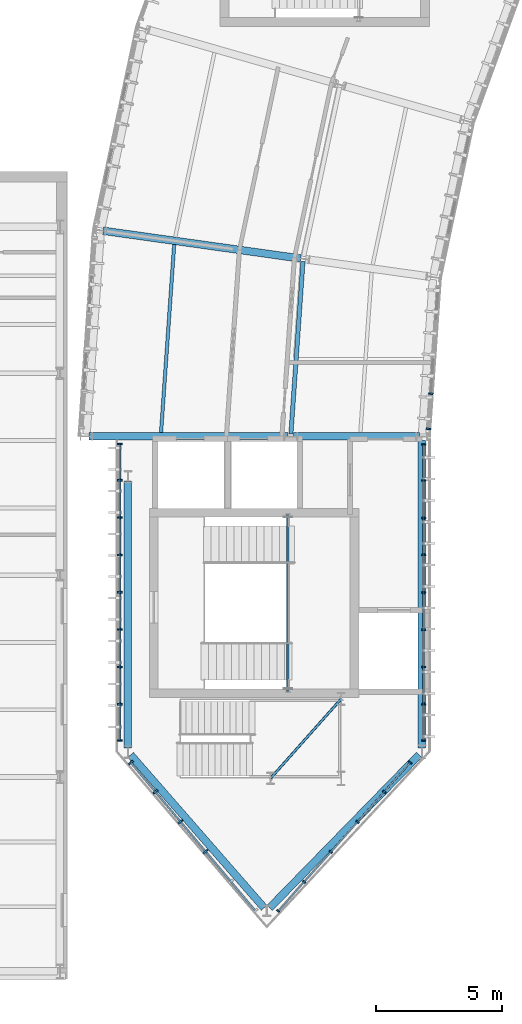
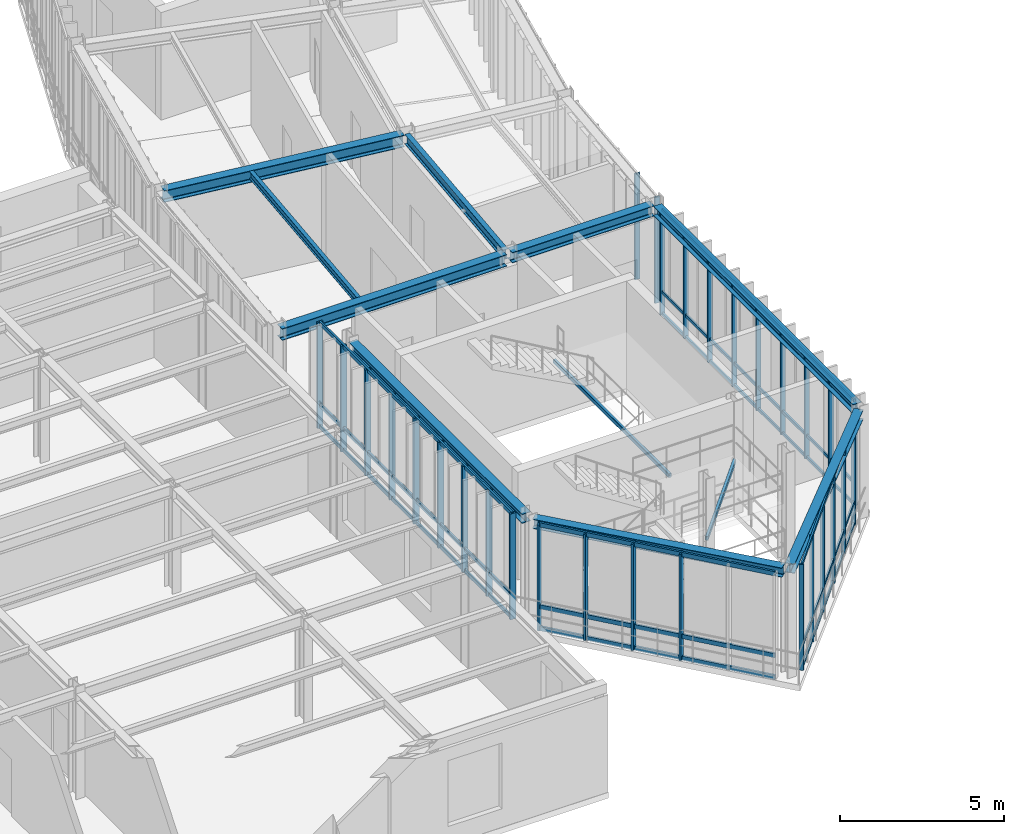
# One storey, part 10 of 57: 44 members, 9 beams, 5 elements without a shape of their own.
"""IFC4 building model written with IfcOpenShell, lengths in metres."""

from ifc_helpers import new_model, si_unit, direction, frame, origin, origin_2d, place, context, subcontext, project, spatial, rectangle, hollow_rectangle, i_section, extrude, material, layer, layer_set, material_profile, profile_set, type_object, element, aggregate, save


model = new_model("IFC4")

# Units and contexts
model_context = context("Model", 3, precision=1e-05, world=origin(), true_north=direction((0.0, 1.0)))
body_context = subcontext(model_context, "Body", "Model", "MODEL_VIEW")
ifc_project = project(units=[si_unit("LENGTHUNIT", "METRE"), si_unit("AREAUNIT", "SQUARE_METRE"), si_unit("VOLUMEUNIT", "CUBIC_METRE"), si_unit("PLANEANGLEUNIT", "RADIAN"), si_unit("MASSUNIT", "GRAM", prefix="KILO"), si_unit("THERMODYNAMICTEMPERATUREUNIT", "KELVIN"), si_unit("POWERUNIT", "WATT")], contexts=[model_context])

# Site, building, storey
site_placement = place(None, origin())
site = spatial("IfcSite", under=ifc_project, at=site_placement, CompositionType="ELEMENT")
building_placement = place(site_placement, origin())
building = spatial("IfcBuilding", under=site, at=building_placement, Name="Solvatero Civic Police Headquarters", CompositionType="ELEMENT")
storey_placement = place(building_placement, frame((0.0, 0.0, 9.300048828125)))
storey = spatial("IfcBuildingStorey", under=building, at=storey_placement, Name="L02", CompositionType="ELEMENT", Elevation=9.300048828125)

# Beams
ifc_material_1 = material(Name="Steel S355", Category="steel")
ifc_material_profile_1 = material_profile(ifc_material_1, i_section(OverallWidth=0.300048828125, OverallDepth=0.35009765625, WebThickness=0.010009765625, FlangeThickness=0.017578125, FilletRadius=0.027099609375, at=origin_2d()), Name="HEA 360")
ifc_profile_set_1 = profile_set([ifc_material_profile_1], Name="Steel S355")
beam_type_1 = type_object("IfcBeamType", Name="BM-ST-HEA360", PredefinedType="SPANDREL", material=ifc_profile_set_1)
beam_1_placement = place(storey_placement, frame((37.0, 24.239990234375, 3.824951171875), z_axis=(0.0, -1.0, 0.0), x_axis=(1.0, 0.0, 0.0)))
element("IfcBeam", 1, at=beam_1_placement, inside=storey, type_object=beam_type_1, Name="Perimeter / radial spandrel beam BM-R2-L02-PROW-W", PredefinedType="SPANDREL", context=body_context, shape_type="SweptSolid", body=[
    extrude(i_section(OverallWidth=0.300048828125, OverallDepth=0.35009765625, WebThickness=0.010009765625, FlangeThickness=0.017578125, FilletRadius=0.027099609375, at=origin_2d()), origin(), (0.0, 0.0, 1.0), 10.580078125),
])
beam_2_placement = place(storey_placement, frame((37.105224609375, 13.37939453125, 3.824951171875), z_axis=(0.657663937616, -0.753311452959, 0.0), x_axis=(0.753311452959, 0.657663937616, 0.0)))
element("IfcBeam", 2, at=beam_2_placement, inside=storey, type_object=beam_type_1, Name="Perimeter / radial spandrel beam BM-R2-L02-PROW-SW", PredefinedType="SPANDREL", context=body_context, shape_type="SweptSolid", body=[
    extrude(i_section(OverallWidth=0.300048828125, OverallDepth=0.35009765625, WebThickness=0.010009765625, FlangeThickness=0.017578125, FilletRadius=0.027099609375, at=origin_2d()), origin(), (0.0, 0.0, 1.0), 8.04296875),
])
beam_3_placement = place(storey_placement, frame((42.61181640625, 7.314453125, 3.824951171875), z_axis=(0.698523042205, 0.715587562433, 0.0), x_axis=(-0.715587562433, 0.698523042205, 0.0)))
element("IfcBeam", 3, at=beam_3_placement, inside=storey, type_object=beam_type_1, Name="Perimeter / radial spandrel beam BM-R2-L02-PROW-SE", PredefinedType="SPANDREL", context=body_context, shape_type="SweptSolid", body=[
    extrude(i_section(OverallWidth=0.300048828125, OverallDepth=0.35009765625, WebThickness=0.010009765625, FlangeThickness=0.017578125, FilletRadius=0.027099609375, at=origin_2d()), origin(), (0.0, 0.0, 1.0), 8.48388671875),
])
beam_4_placement = place(storey_placement, frame((48.64990234375, 13.659912109375, 3.824951171875), z_axis=(0.0, 1.0, 0.0), x_axis=(-1.0, 0.0, 0.0)))
element("IfcBeam", 4, at=beam_4_placement, inside=storey, type_object=beam_type_1, Name="Perimeter / radial spandrel beam BM-R2-L02-PROW-E", PredefinedType="SPANDREL", context=body_context, shape_type="SweptSolid", body=[
    extrude(i_section(OverallWidth=0.300048828125, OverallDepth=0.35009765625, WebThickness=0.010009765625, FlangeThickness=0.017578125, FilletRadius=0.027099609375, at=origin_2d()), origin(), (0.0, 0.0, 1.0), 12.18017578125),
])
ifc_material_profile_2 = material_profile(ifc_material_1, i_section(OverallWidth=0.300048828125, OverallDepth=0.389892578125, WebThickness=0.010986328125, FlangeThickness=0.01904296875, FilletRadius=0.027099609375, at=origin_2d()), Name="HEA 400")
ifc_profile_set_2 = profile_set([ifc_material_profile_2], Name="Steel S355")
beam_type_2 = type_object("IfcBeamType", Name="BM-ST-HEA400", PredefinedType="BEAM", material=ifc_profile_set_2)
beam_5_placement = place(storey_placement, frame((48.550048828125, 26.0, 3.804931640625), z_axis=(-1.0, 0.0, 0.0), x_axis=(0.0, -1.0, 0.0)))
element("IfcBeam", 5, at=beam_5_placement, inside=storey, type_object=beam_type_2, Name="Primary girder BM-R2-L02-ARC-RAD1-S12", PredefinedType="BEAM", context=body_context, shape_type="SweptSolid", body=[
    extrude(i_section(OverallWidth=0.300048828125, OverallDepth=0.389892578125, WebThickness=0.010986328125, FlangeThickness=0.01904296875, FilletRadius=0.027099609375, at=origin_2d()), origin(), (0.0, 0.0, 1.0), 5.0),
])
ifc_material_profile_3 = material_profile(ifc_material_1, i_section(OverallWidth=0.300048828125, OverallDepth=0.43994140625, WebThickness=0.011474609375, FlangeThickness=0.02099609375, FilletRadius=0.027099609375, at=origin_2d()), Name="HEA 450")
ifc_profile_set_3 = profile_set([ifc_material_profile_3], Name="Steel S355")
beam_type_3 = type_object("IfcBeamType", Name="BM-ST-HEA450", PredefinedType="BEAM", material=ifc_profile_set_3)
for number, where, z_axis, x_axis, name in (
    (6, (43.843017578125, 33.049072265625, 3.780029296875), (-0.990265898664, 0.139188540993, 0.0), (-0.139188540993, -0.990265898664, 0.0), "Primary girder BM-R2-L02-ARC-RAD2-S11"),
    (7, (43.35009765625, 26.0, 3.780029296875), (-1.0, 0.0, 0.0), (0.0, -1.0, 0.0), "Primary girder BM-R2-L02-ARC-RAD2-S12"),
):
    element("IfcBeam", number, at=place(storey_placement, frame(where, z_axis=z_axis, x_axis=x_axis)), inside=storey, type_object=beam_type_3, Name=name, PredefinedType="BEAM", context=body_context, shape_type="SweptSolid", body=[
        extrude(i_section(OverallWidth=0.300048828125, OverallDepth=0.43994140625, WebThickness=0.011474609375, FlangeThickness=0.02099609375, FilletRadius=0.027099609375, at=origin_2d()), origin(), (0.0, 0.0, 1.0), 7.900146484375),
    ])
ifc_material_profile_4 = material_profile(ifc_material_1, i_section(OverallWidth=0.135009765625, OverallDepth=0.27001953125, WebThickness=0.006591796875, FlangeThickness=0.01025390625, FilletRadius=0.014892578125, at=origin_2d()), Name="IPE 270")
ifc_profile_set_4 = profile_set([ifc_material_profile_4], Name="Steel S355")
beam_type_4 = type_object("IfcBeamType", Name="BM-ST-IPE270", PredefinedType="BEAM", material=ifc_profile_set_4)
beam_6_placement = place(storey_placement, frame((38.83154296875, 33.602294921875, 3.864990234375), z_axis=(-0.069737421409, -0.997565382346, 0.0), x_axis=(0.997565382346, -0.069737421409, 0.0)))
element("IfcBeam", 8, at=beam_6_placement, inside=storey, type_object=beam_type_4, Name="Composite floor beam BM-R2-L02-ARC-CS2-B12", PredefinedType="BEAM", context=body_context, shape_type="SweptSolid", body=[
    extrude(i_section(OverallWidth=0.135009765625, OverallDepth=0.27001953125, WebThickness=0.006591796875, FlangeThickness=0.01025390625, FilletRadius=0.014892578125, at=origin_2d()), origin(), (0.0, 0.0, 1.0), 7.470947265625),
])
ifc_material_profile_5 = material_profile(ifc_material_1, i_section(OverallWidth=0.169921875, OverallDepth=0.360107421875, WebThickness=0.008056640625, FlangeThickness=0.0126953125, FilletRadius=0.01806640625, at=origin_2d()), Name="IPE 360")
ifc_profile_set_5 = profile_set([ifc_material_profile_5], Name="Steel S355")
beam_type_5 = type_object("IfcBeamType", Name="BM-ST-IPE360", PredefinedType="BEAM", material=ifc_profile_set_5)
beam_7_placement = place(storey_placement, frame((43.934814453125, 32.935302734375, 3.820068359375), z_axis=(-0.069727722696, -0.997566060313, 0.0), x_axis=(0.997566060313, -0.069727722696, 0.0)))
element("IfcBeam", 9, at=beam_7_placement, inside=storey, type_object=beam_type_5, Name="Composite floor beam BM-R2-L02-ARC-CMID-B12", PredefinedType="BEAM", context=body_context, shape_type="SweptSolid", body=[
    extrude(i_section(OverallWidth=0.169921875, OverallDepth=0.360107421875, WebThickness=0.008056640625, FlangeThickness=0.0126953125, FilletRadius=0.01806640625, at=origin_2d()), origin(), (0.0, 0.0, 1.0), 6.85205078125),
])

# Curtain wall, members
ifc_material_2 = material(Name="Anodized Bronze Aluminium", Category="aluminium")
ifc_layer_1 = layer(ifc_material_2, 0.179931640625)
ifc_layer_set_1 = layer_set([ifc_layer_1], Name="Anodized Bronze Aluminium")
curtain_wall_type_1 = type_object("IfcCurtainWallType", Name="CW-PROW-GLZ", PredefinedType="USERDEFINED", material=ifc_layer_set_1)
curtain_wall_1_placement = place(storey_placement, origin())
curtain_wall_1 = element("IfcCurtainWall", 10, at=curtain_wall_1_placement, inside=storey, type_object=curtain_wall_type_1, Name="Curtain Wall CW-R2-L02-PROW-SE", ObjectType="UNITISED", PredefinedType="USERDEFINED")
ifc_material_profile_6 = material_profile(ifc_material_2, rectangle(XDim=0.06005859375, YDim=0.139892578125, at=origin_2d()), Name="ALU MULLION 60x140")
ifc_profile_set_6 = profile_set([ifc_material_profile_6], Name="Anodized Bronze Aluminium")
member_type_1 = type_object("IfcMemberType", Name="CWM-160x65", PredefinedType="MULLION", material=ifc_profile_set_6)
member_1_placement = place(storey_placement, frame((42.95166015625, 7.1943359375, 0.0), z_axis=(0.0, 0.0, 1.0), x_axis=(0.664669821698, 0.74713722175, 0.0)))
member_1 = element("IfcMember", 11, at=member_1_placement, type_object=member_type_1, Name="CW-R2-L02-PROW-SE Mullion 1", PredefinedType="MULLION", context=body_context, shape_type="SweptSolid", body=[
    extrude(rectangle(XDim=0.06005859375, YDim=0.139892578125, at=origin_2d()), origin(), (0.0, 0.0, 1.0), 3.93994140625),
])
member_2_placement = place(storey_placement, frame((43.982177734375, 8.3525390625, 0.0), z_axis=(0.0, 0.0, 1.0), x_axis=(0.664669821698, 0.74713722175, 0.0)))
member_2 = element("IfcMember", 12, at=member_2_placement, type_object=member_type_1, Name="CW-R2-L02-PROW-SE Mullion 2", PredefinedType="MULLION", context=body_context, shape_type="SweptSolid", body=[
    extrude(rectangle(XDim=0.06005859375, YDim=0.139892578125, at=origin_2d()), origin(), (0.0, 0.0, 1.0), 3.93994140625),
])
member_3_placement = place(storey_placement, frame((45.0390625, 9.540771484375, 0.0), z_axis=(0.0, 0.0, 1.0), x_axis=(0.664669821698, 0.74713722175, 0.0)))
member_3 = element("IfcMember", 13, at=member_3_placement, type_object=member_type_1, Name="CW-R2-L02-PROW-SE Mullion 3", PredefinedType="MULLION", context=body_context, shape_type="SweptSolid", body=[
    extrude(rectangle(XDim=0.06005859375, YDim=0.139892578125, at=origin_2d()), origin(), (0.0, 0.0, 1.0), 3.93994140625),
])
member_4_placement = place(storey_placement, frame((46.09619140625, 10.72900390625, 0.0), z_axis=(0.0, 0.0, 1.0), x_axis=(0.664669821698, 0.74713722175, 0.0)))
member_4 = element("IfcMember", 14, at=member_4_placement, type_object=member_type_1, Name="CW-R2-L02-PROW-SE Mullion 4", PredefinedType="MULLION", context=body_context, shape_type="SweptSolid", body=[
    extrude(rectangle(XDim=0.06005859375, YDim=0.139892578125, at=origin_2d()), origin(), (0.0, 0.0, 1.0), 3.93994140625),
])
member_5_placement = place(storey_placement, frame((47.153076171875, 11.9169921875, 0.0), z_axis=(0.0, 0.0, 1.0), x_axis=(0.664669821698, 0.74713722175, 0.0)))
member_5 = element("IfcMember", 15, at=member_5_placement, type_object=member_type_1, Name="CW-R2-L02-PROW-SE Mullion 5", PredefinedType="MULLION", context=body_context, shape_type="SweptSolid", body=[
    extrude(rectangle(XDim=0.06005859375, YDim=0.139892578125, at=origin_2d()), origin(), (0.0, 0.0, 1.0), 3.93994140625),
])
member_6_placement = place(storey_placement, frame((48.18359375, 13.0751953125, 0.0), z_axis=(0.0, 0.0, 1.0), x_axis=(0.664669821698, 0.74713722175, 0.0)))
member_6 = element("IfcMember", 16, at=member_6_placement, type_object=member_type_1, Name="CW-R2-L02-PROW-SE Mullion 6", PredefinedType="MULLION", context=body_context, shape_type="SweptSolid", body=[
    extrude(rectangle(XDim=0.06005859375, YDim=0.139892578125, at=origin_2d()), origin(), (0.0, 0.0, 1.0), 3.93994140625),
])

curtain_wall_2_placement = place(storey_placement, origin())
curtain_wall_2 = element("IfcCurtainWall", 17, at=curtain_wall_2_placement, inside=storey, type_object=curtain_wall_type_1, Name="Curtain Wall CW-R2-L02-PROW-E", ObjectType="UNITISED", PredefinedType="USERDEFINED")
ifc_material_profile_7 = material_profile(ifc_material_2, rectangle(XDim=0.06005859375, YDim=0.159912109375, at=origin_2d()), Name="ALU MULLION 60x160")
ifc_profile_set_7 = profile_set([ifc_material_profile_7], Name="Anodized Bronze Aluminium")
member_type_2 = type_object("IfcMemberType", Name="CWM-180x70", PredefinedType="MULLION", material=ifc_profile_set_7)
member_7_placement = place(storey_placement, frame((48.719970703125, 13.949951171875, 0.0), z_axis=(0.0, 0.0, 1.0), x_axis=(0.0, 1.0, 0.0)))
member_7 = element("IfcMember", 18, at=member_7_placement, type_object=member_type_2, Name="CW-R2-L02-PROW-E Mullion 1", PredefinedType="MULLION", context=body_context, shape_type="SweptSolid", body=[
    extrude(rectangle(XDim=0.06005859375, YDim=0.159912109375, at=origin_2d()), origin(), (0.0, 0.0, 1.0), 3.93994140625),
])
member_8_placement = place(storey_placement, frame((48.719970703125, 15.386474609375, 0.0), z_axis=(0.0, 0.0, 1.0), x_axis=(0.0, 1.0, 0.0)))
member_8 = element("IfcMember", 19, at=member_8_placement, type_object=member_type_2, Name="CW-R2-L02-PROW-E Mullion 2", PredefinedType="MULLION", context=body_context, shape_type="SweptSolid", body=[
    extrude(rectangle(XDim=0.06005859375, YDim=0.159912109375, at=origin_2d()), origin(), (0.0, 0.0, 1.0), 3.93994140625),
])
member_9_placement = place(storey_placement, frame((48.719970703125, 16.86279296875, 0.0), z_axis=(0.0, 0.0, 1.0), x_axis=(0.0, 1.0, 0.0)))
member_9 = element("IfcMember", 20, at=member_9_placement, type_object=member_type_2, Name="CW-R2-L02-PROW-E Mullion 3", PredefinedType="MULLION", context=body_context, shape_type="SweptSolid", body=[
    extrude(rectangle(XDim=0.06005859375, YDim=0.159912109375, at=origin_2d()), origin(), (0.0, 0.0, 1.0), 3.93994140625),
])
member_10_placement = place(storey_placement, frame((48.719970703125, 18.339111328125, 0.0), z_axis=(0.0, 0.0, 1.0), x_axis=(0.0, 1.0, 0.0)))
member_10 = element("IfcMember", 21, at=member_10_placement, type_object=member_type_2, Name="CW-R2-L02-PROW-E Mullion 4", PredefinedType="MULLION", context=body_context, shape_type="SweptSolid", body=[
    extrude(rectangle(XDim=0.06005859375, YDim=0.159912109375, at=origin_2d()), origin(), (0.0, 0.0, 1.0), 3.93994140625),
])
member_11_placement = place(storey_placement, frame((48.719970703125, 19.8154296875, 0.0), z_axis=(0.0, 0.0, 1.0), x_axis=(0.0, 1.0, 0.0)))
member_11 = element("IfcMember", 22, at=member_11_placement, type_object=member_type_2, Name="CW-R2-L02-PROW-E Mullion 5", PredefinedType="MULLION", context=body_context, shape_type="SweptSolid", body=[
    extrude(rectangle(XDim=0.06005859375, YDim=0.159912109375, at=origin_2d()), origin(), (0.0, 0.0, 1.0), 3.93994140625),
])
member_12_placement = place(storey_placement, frame((48.719970703125, 21.2919921875, 0.0), z_axis=(0.0, 0.0, 1.0), x_axis=(0.0, 1.0, 0.0)))
member_12 = element("IfcMember", 23, at=member_12_placement, type_object=member_type_2, Name="CW-R2-L02-PROW-E Mullion 6", PredefinedType="MULLION", context=body_context, shape_type="SweptSolid", body=[
    extrude(rectangle(XDim=0.06005859375, YDim=0.159912109375, at=origin_2d()), origin(), (0.0, 0.0, 1.0), 3.93994140625),
])
member_13_placement = place(storey_placement, frame((48.719970703125, 22.768310546875, 0.0), z_axis=(0.0, 0.0, 1.0), x_axis=(0.0, 1.0, 0.0)))
member_13 = element("IfcMember", 24, at=member_13_placement, type_object=member_type_2, Name="CW-R2-L02-PROW-E Mullion 7", PredefinedType="MULLION", context=body_context, shape_type="SweptSolid", body=[
    extrude(rectangle(XDim=0.06005859375, YDim=0.159912109375, at=origin_2d()), origin(), (0.0, 0.0, 1.0), 3.93994140625),
])
member_14_placement = place(storey_placement, frame((48.719970703125, 24.24462890625, 0.0), z_axis=(0.0, 0.0, 1.0), x_axis=(0.0, 1.0, 0.0)))
member_14 = element("IfcMember", 25, at=member_14_placement, type_object=member_type_2, Name="CW-R2-L02-PROW-E Mullion 8", PredefinedType="MULLION", context=body_context, shape_type="SweptSolid", body=[
    extrude(rectangle(XDim=0.06005859375, YDim=0.159912109375, at=origin_2d()), origin(), (0.0, 0.0, 1.0), 3.93994140625),
])
member_15_placement = place(storey_placement, frame((48.719970703125, 25.680908203125, 0.0), z_axis=(0.0, 0.0, 1.0), x_axis=(0.0, 1.0, 0.0)))
member_15 = element("IfcMember", 26, at=member_15_placement, type_object=member_type_2, Name="CW-R2-L02-PROW-E Mullion 9", PredefinedType="MULLION", context=body_context, shape_type="SweptSolid", body=[
    extrude(rectangle(XDim=0.06005859375, YDim=0.159912109375, at=origin_2d()), origin(), (0.0, 0.0, 1.0), 3.93994140625),
])

ifc_layer_2 = layer(ifc_material_2, 0.179931640625)
ifc_layer_set_2 = layer_set([ifc_layer_2], Name="Anodized Bronze Aluminium")
curtain_wall_type_2 = type_object("IfcCurtainWallType", Name="CW-ARC-IN", PredefinedType="USERDEFINED", material=ifc_layer_set_2)
curtain_wall_3_placement = place(storey_placement, origin())
curtain_wall_3 = element("IfcCurtainWall", 27, at=curtain_wall_3_placement, inside=storey, type_object=curtain_wall_type_2, Name="Curtain Wall CW-R2-L02-ARC-IN-B12", ObjectType="UNITISED", PredefinedType="USERDEFINED")
ifc_material_profile_8 = material_profile(ifc_material_2, rectangle(XDim=0.06494140625, YDim=0.179931640625, at=origin_2d()), Name="ALU MULLION 65x180")
ifc_profile_set_8 = profile_set([ifc_material_profile_8], Name="Anodized Bronze Aluminium")
member_type_3 = type_object("IfcMemberType", Name="CWM-200x75", PredefinedType="MULLION", material=ifc_profile_set_8)
member_16_placement = place(storey_placement, frame((48.998291015625, 27.692138671875, 0.0), z_axis=(0.0, 0.0, 1.0), x_axis=(-0.069756473744, -0.99756405026, 0.0)))
member_16 = element("IfcMember", 28, at=member_16_placement, type_object=member_type_3, Name="CW-R2-L02-ARC-IN-B12 Mullion 4", PredefinedType="MULLION", context=body_context, shape_type="SweptSolid", body=[
    extrude(rectangle(XDim=0.06494140625, YDim=0.179931640625, at=origin_2d()), origin(), (0.0, 0.0, 1.0), 3.93994140625),
])
member_17_placement = place(storey_placement, frame((48.901123046875, 26.30224609375, 0.0), z_axis=(0.0, 0.0, 1.0), x_axis=(-0.069756473744, -0.99756405026, 0.0)))
member_17 = element("IfcMember", 29, at=member_17_placement, type_object=member_type_3, Name="CW-R2-L02-ARC-IN-B12 Mullion 5", PredefinedType="MULLION", context=body_context, shape_type="SweptSolid", body=[
    extrude(rectangle(XDim=0.06494140625, YDim=0.179931640625, at=origin_2d()), origin(), (0.0, 0.0, 1.0), 3.93994140625),
])
aggregate(curtain_wall_3, [member_16, member_17])

curtain_wall_4_placement = place(storey_placement, origin())
curtain_wall_4 = element("IfcCurtainWall", 30, at=curtain_wall_4_placement, inside=storey, type_object=curtain_wall_type_1, Name="Curtain Wall CW-R2-L02-PROW-W", ObjectType="UNITISED", PredefinedType="USERDEFINED")
ifc_material_profile_9 = material_profile(ifc_material_2, rectangle(XDim=0.070068359375, YDim=0.199951171875, at=origin_2d()), Name="ALU MULLION 70x200")
ifc_profile_set_9 = profile_set([ifc_material_profile_9], Name="Anodized Bronze Aluminium")
member_type_4 = type_object("IfcMemberType", Name="CWM-220x80", PredefinedType="MULLION", material=ifc_profile_set_9)
member_18_placement = place(storey_placement, frame((36.679931640625, 25.699951171875, 0.0), z_axis=(0.0, 0.0, 1.0), x_axis=(0.0, -1.0, 0.0)))
member_18 = element("IfcMember", 31, at=member_18_placement, type_object=member_type_4, Name="CW-R2-L02-PROW-W Mullion 1", PredefinedType="MULLION", context=body_context, shape_type="SweptSolid", body=[
    extrude(rectangle(XDim=0.070068359375, YDim=0.199951171875, at=origin_2d()), origin(), (0.0, 0.0, 1.0), 3.93994140625),
])
member_19_placement = place(storey_placement, frame((36.679931640625, 24.26123046875, 0.0), z_axis=(0.0, 0.0, 1.0), x_axis=(0.0, -1.0, 0.0)))
member_19 = element("IfcMember", 32, at=member_19_placement, type_object=member_type_4, Name="CW-R2-L02-PROW-W Mullion 2", PredefinedType="MULLION", context=body_context, shape_type="SweptSolid", body=[
    extrude(rectangle(XDim=0.070068359375, YDim=0.199951171875, at=origin_2d()), origin(), (0.0, 0.0, 1.0), 3.93994140625),
])
member_20_placement = place(storey_placement, frame((36.679931640625, 22.782470703125, 0.0), z_axis=(0.0, 0.0, 1.0), x_axis=(0.0, -1.0, 0.0)))
member_20 = element("IfcMember", 33, at=member_20_placement, type_object=member_type_4, Name="CW-R2-L02-PROW-W Mullion 3", PredefinedType="MULLION", context=body_context, shape_type="SweptSolid", body=[
    extrude(rectangle(XDim=0.070068359375, YDim=0.199951171875, at=origin_2d()), origin(), (0.0, 0.0, 1.0), 3.93994140625),
])
member_21_placement = place(storey_placement, frame((36.679931640625, 21.3037109375, 0.0), z_axis=(0.0, 0.0, 1.0), x_axis=(0.0, -1.0, 0.0)))
member_21 = element("IfcMember", 34, at=member_21_placement, type_object=member_type_4, Name="CW-R2-L02-PROW-W Mullion 4", PredefinedType="MULLION", context=body_context, shape_type="SweptSolid", body=[
    extrude(rectangle(XDim=0.070068359375, YDim=0.199951171875, at=origin_2d()), origin(), (0.0, 0.0, 1.0), 3.93994140625),
])
member_22_placement = place(storey_placement, frame((36.679931640625, 19.824951171875, 0.0), z_axis=(0.0, 0.0, 1.0), x_axis=(0.0, -1.0, 0.0)))
member_22 = element("IfcMember", 35, at=member_22_placement, type_object=member_type_4, Name="CW-R2-L02-PROW-W Mullion 5", PredefinedType="MULLION", context=body_context, shape_type="SweptSolid", body=[
    extrude(rectangle(XDim=0.070068359375, YDim=0.199951171875, at=origin_2d()), origin(), (0.0, 0.0, 1.0), 3.93994140625),
])
member_23_placement = place(storey_placement, frame((36.679931640625, 18.34619140625, 0.0), z_axis=(0.0, 0.0, 1.0), x_axis=(0.0, -1.0, 0.0)))
member_23 = element("IfcMember", 36, at=member_23_placement, type_object=member_type_4, Name="CW-R2-L02-PROW-W Mullion 6", PredefinedType="MULLION", context=body_context, shape_type="SweptSolid", body=[
    extrude(rectangle(XDim=0.070068359375, YDim=0.199951171875, at=origin_2d()), origin(), (0.0, 0.0, 1.0), 3.93994140625),
])
member_24_placement = place(storey_placement, frame((36.679931640625, 16.867431640625, 0.0), z_axis=(0.0, 0.0, 1.0), x_axis=(0.0, -1.0, 0.0)))
member_24 = element("IfcMember", 37, at=member_24_placement, type_object=member_type_4, Name="CW-R2-L02-PROW-W Mullion 7", PredefinedType="MULLION", context=body_context, shape_type="SweptSolid", body=[
    extrude(rectangle(XDim=0.070068359375, YDim=0.199951171875, at=origin_2d()), origin(), (0.0, 0.0, 1.0), 3.93994140625),
])
member_25_placement = place(storey_placement, frame((36.679931640625, 15.388671875, 0.0), z_axis=(0.0, 0.0, 1.0), x_axis=(0.0, -1.0, 0.0)))
member_25 = element("IfcMember", 38, at=member_25_placement, type_object=member_type_4, Name="CW-R2-L02-PROW-W Mullion 8", PredefinedType="MULLION", context=body_context, shape_type="SweptSolid", body=[
    extrude(rectangle(XDim=0.070068359375, YDim=0.199951171875, at=origin_2d()), origin(), (0.0, 0.0, 1.0), 3.93994140625),
])
member_26_placement = place(storey_placement, frame((36.679931640625, 13.949951171875, 0.0), z_axis=(0.0, 0.0, 1.0), x_axis=(0.0, -1.0, 0.0)))
member_26 = element("IfcMember", 39, at=member_26_placement, type_object=member_type_4, Name="CW-R2-L02-PROW-W Mullion 9", PredefinedType="MULLION", context=body_context, shape_type="SweptSolid", body=[
    extrude(rectangle(XDim=0.070068359375, YDim=0.199951171875, at=origin_2d()), origin(), (0.0, 0.0, 1.0), 3.93994140625),
])

curtain_wall_5_placement = place(storey_placement, origin())
curtain_wall_5 = element("IfcCurtainWall", 40, at=curtain_wall_5_placement, inside=storey, type_object=curtain_wall_type_1, Name="Curtain Wall CW-R2-L02-PROW-SW", ObjectType="UNITISED", PredefinedType="USERDEFINED")
ifc_material_profile_10 = material_profile(ifc_material_2, rectangle(XDim=0.074951171875, YDim=0.219970703125, at=origin_2d()), Name="ALU MULLION 75x220")
ifc_profile_set_10 = profile_set([ifc_material_profile_10], Name="Anodized Bronze Aluminium")
member_type_5 = type_object("IfcMemberType", Name="CWM-250x85", PredefinedType="MULLION", material=ifc_profile_set_10)
member_27_placement = place(storey_placement, frame((37.1142578125, 13.073486328125, 0.0), z_axis=(0.0, 0.0, 1.0), x_axis=(0.643282165541, -0.765629189293, 0.0)))
member_27 = element("IfcMember", 41, at=member_27_placement, type_object=member_type_5, Name="CW-R2-L02-PROW-SW Mullion 1", PredefinedType="MULLION", context=body_context, shape_type="SweptSolid", body=[
    extrude(rectangle(XDim=0.074951171875, YDim=0.219970703125, at=origin_2d()), origin(), (0.0, 0.0, 1.0), 3.93994140625),
])
member_28_placement = place(storey_placement, frame((38.085205078125, 11.918212890625, 0.0), z_axis=(0.0, 0.0, 1.0), x_axis=(0.643282165541, -0.765629189293, 0.0)))
member_28 = element("IfcMember", 42, at=member_28_placement, type_object=member_type_5, Name="CW-R2-L02-PROW-SW Mullion 2", PredefinedType="MULLION", context=body_context, shape_type="SweptSolid", body=[
    extrude(rectangle(XDim=0.074951171875, YDim=0.219970703125, at=origin_2d()), origin(), (0.0, 0.0, 1.0), 3.93994140625),
])
member_29_placement = place(storey_placement, frame((39.08154296875, 10.73193359375, 0.0), z_axis=(0.0, 0.0, 1.0), x_axis=(0.643282165541, -0.765629189293, 0.0)))
member_29 = element("IfcMember", 43, at=member_29_placement, type_object=member_type_5, Name="CW-R2-L02-PROW-SW Mullion 3", PredefinedType="MULLION", context=body_context, shape_type="SweptSolid", body=[
    extrude(rectangle(XDim=0.074951171875, YDim=0.219970703125, at=origin_2d()), origin(), (0.0, 0.0, 1.0), 3.93994140625),
])
member_30_placement = place(storey_placement, frame((40.078125, 9.5458984375, 0.0), z_axis=(0.0, 0.0, 1.0), x_axis=(0.643282165541, -0.765629189293, 0.0)))
member_30 = element("IfcMember", 44, at=member_30_placement, type_object=member_type_5, Name="CW-R2-L02-PROW-SW Mullion 4", PredefinedType="MULLION", context=body_context, shape_type="SweptSolid", body=[
    extrude(rectangle(XDim=0.074951171875, YDim=0.219970703125, at=origin_2d()), origin(), (0.0, 0.0, 1.0), 3.93994140625),
])
ifc_material_profile_11 = material_profile(ifc_material_2, rectangle(XDim=0.070068359375, YDim=0.159912109375, at=origin_2d()), Name="ALU TRANSOM 70x160")
ifc_profile_set_11 = profile_set([ifc_material_profile_11], Name="Anodized Bronze Aluminium")
member_type_6 = type_object("IfcMemberType", Name="CWT-120x55", PredefinedType="USERDEFINED", material=ifc_profile_set_11)
member_31_placement = place(storey_placement, frame((37.120849609375, 13.06591796875, 0.0400390625), z_axis=(0.64325424242, -0.765652649449, 0.0), x_axis=(0.765652649449, 0.64325424242, 0.0)))
member_31 = element("IfcMember", 45, at=member_31_placement, type_object=member_type_6, Name="CW-R2-L02-PROW-SW Transom 1", ObjectType="TRANSOM", PredefinedType="USERDEFINED", context=body_context, shape_type="SweptSolid", body=[
    extrude(rectangle(XDim=0.070068359375, YDim=0.159912109375, at=origin_2d()), origin(), (0.0, 0.0, 1.0), 7.6455078125),
])
member_32_placement = place(storey_placement, frame((37.120849609375, 13.06591796875, 0.849853515625), z_axis=(0.64325424242, -0.765652649449, 0.0), x_axis=(0.765652649449, 0.64325424242, 0.0)))
member_32 = element("IfcMember", 46, at=member_32_placement, type_object=member_type_6, Name="CW-R2-L02-PROW-SW Transom 2", ObjectType="TRANSOM", PredefinedType="USERDEFINED", context=body_context, shape_type="SweptSolid", body=[
    extrude(rectangle(XDim=0.070068359375, YDim=0.159912109375, at=origin_2d()), origin(), (0.0, 0.0, 1.0), 7.6455078125),
])
member_33_placement = place(storey_placement, frame((37.120849609375, 13.06591796875, 3.89990234375), z_axis=(0.64325424242, -0.765652649449, 0.0), x_axis=(0.765652649449, 0.64325424242, 0.0)))
member_33 = element("IfcMember", 47, at=member_33_placement, type_object=member_type_6, Name="CW-R2-L02-PROW-SW Transom 3", ObjectType="TRANSOM", PredefinedType="USERDEFINED", context=body_context, shape_type="SweptSolid", body=[
    extrude(rectangle(XDim=0.070068359375, YDim=0.159912109375, at=origin_2d()), origin(), (0.0, 0.0, 1.0), 7.6455078125),
])
aggregate(curtain_wall_5, [member_27, member_28, member_29, member_30, member_31, member_32, member_33])

# Member
ifc_material_profile_12 = material_profile(ifc_material_2, rectangle(XDim=0.06005859375, YDim=0.110107421875, at=origin_2d()), Name="ALU TRANSOM 60x110")
ifc_profile_set_12 = profile_set([ifc_material_profile_12], Name="Anodized Bronze Aluminium")
member_type_7 = type_object("IfcMemberType", Name="CWT-140x60", PredefinedType="USERDEFINED", material=ifc_profile_set_12)
member_34_placement = place(storey_placement, frame((48.719970703125, 13.9599609375, 0.0400390625), z_axis=(0.0, 1.0, 0.0), x_axis=(-1.0, 0.0, 0.0)))
member_34 = element("IfcMember", 48, at=member_34_placement, type_object=member_type_7, Name="CW-R2-L02-PROW-E Transom 1", ObjectType="TRANSOM", PredefinedType="USERDEFINED", context=body_context, shape_type="SweptSolid", body=[
    extrude(rectangle(XDim=0.06005859375, YDim=0.110107421875, at=origin_2d()), origin(), (0.0, 0.0, 1.0), 11.7109375),
])

member_35_placement = place(storey_placement, frame((48.719970703125, 13.9599609375, 0.849853515625), z_axis=(0.0, 1.0, 0.0), x_axis=(-1.0, 0.0, 0.0)))
member_35 = element("IfcMember", 49, at=member_35_placement, type_object=member_type_7, Name="CW-R2-L02-PROW-E Transom 2", ObjectType="TRANSOM", PredefinedType="USERDEFINED", context=body_context, shape_type="SweptSolid", body=[
    extrude(rectangle(XDim=0.06005859375, YDim=0.110107421875, at=origin_2d()), origin(), (0.0, 0.0, 1.0), 11.7109375),
])

member_36_placement = place(storey_placement, frame((48.719970703125, 13.9599609375, 3.89990234375), z_axis=(0.0, 1.0, 0.0), x_axis=(-1.0, 0.0, 0.0)))
member_36 = element("IfcMember", 50, at=member_36_placement, type_object=member_type_7, Name="CW-R2-L02-PROW-E Transom 3", ObjectType="TRANSOM", PredefinedType="USERDEFINED", context=body_context, shape_type="SweptSolid", body=[
    extrude(rectangle(XDim=0.06005859375, YDim=0.110107421875, at=origin_2d()), origin(), (0.0, 0.0, 1.0), 11.7109375),
])

aggregate(curtain_wall_2, [member_7, member_8, member_9, member_10, member_11, member_12, member_13, member_14, member_15, member_34, member_35, member_36])

ifc_material_profile_13 = material_profile(ifc_material_2, rectangle(XDim=0.06005859375, YDim=0.125, at=origin_2d()), Name="ALU TRANSOM 60x125")
ifc_profile_set_13 = profile_set([ifc_material_profile_13], Name="Anodized Bronze Aluminium")
member_type_8 = type_object("IfcMemberType", Name="CWT-160x65", PredefinedType="USERDEFINED", material=ifc_profile_set_13)
member_37_placement = place(storey_placement, frame((42.958251953125, 7.201904296875, 0.0400390625), z_axis=(0.66468802274, 0.747121029303, 0.0), x_axis=(-0.747121029303, 0.66468802274, 0.0)))
member_37 = element("IfcMember", 51, at=member_37_placement, type_object=member_type_8, Name="CW-R2-L02-PROW-SE Transom 1", ObjectType="TRANSOM", PredefinedType="USERDEFINED", context=body_context, shape_type="SweptSolid", body=[
    extrude(rectangle(XDim=0.06005859375, YDim=0.125, at=origin_2d()), origin(), (0.0, 0.0, 1.0), 7.851318359375),
])

member_38_placement = place(storey_placement, frame((42.958251953125, 7.201904296875, 0.849853515625), z_axis=(0.66468802274, 0.747121029303, 0.0), x_axis=(-0.747121029303, 0.66468802274, 0.0)))
member_38 = element("IfcMember", 52, at=member_38_placement, type_object=member_type_8, Name="CW-R2-L02-PROW-SE Transom 2", ObjectType="TRANSOM", PredefinedType="USERDEFINED", context=body_context, shape_type="SweptSolid", body=[
    extrude(rectangle(XDim=0.06005859375, YDim=0.125, at=origin_2d()), origin(), (0.0, 0.0, 1.0), 7.851318359375),
])

member_39_placement = place(storey_placement, frame((42.958251953125, 7.201904296875, 3.89990234375), z_axis=(0.66468802274, 0.747121029303, 0.0), x_axis=(-0.747121029303, 0.66468802274, 0.0)))
member_39 = element("IfcMember", 53, at=member_39_placement, type_object=member_type_8, Name="CW-R2-L02-PROW-SE Transom 3", ObjectType="TRANSOM", PredefinedType="USERDEFINED", context=body_context, shape_type="SweptSolid", body=[
    extrude(rectangle(XDim=0.06005859375, YDim=0.125, at=origin_2d()), origin(), (0.0, 0.0, 1.0), 7.851318359375),
])

aggregate(curtain_wall_1, [member_1, member_2, member_3, member_4, member_5, member_6, member_37, member_38, member_39])

ifc_material_profile_14 = material_profile(ifc_material_2, rectangle(XDim=0.06494140625, YDim=0.139892578125, at=origin_2d()), Name="ALU TRANSOM 65x140")
ifc_profile_set_14 = profile_set([ifc_material_profile_14], Name="Anodized Bronze Aluminium")
member_type_9 = type_object("IfcMemberType", Name="CWT-180x70", PredefinedType="USERDEFINED", material=ifc_profile_set_14)
member_40_placement = place(storey_placement, frame((36.679931640625, 25.68994140625, 0.0400390625), z_axis=(0.0, -1.0, 0.0), x_axis=(1.0, 0.0, 0.0)))
member_40 = element("IfcMember", 54, at=member_40_placement, type_object=member_type_9, Name="CW-R2-L02-PROW-W Transom 1", ObjectType="TRANSOM", PredefinedType="USERDEFINED", context=body_context, shape_type="SweptSolid", body=[
    extrude(rectangle(XDim=0.06494140625, YDim=0.139892578125, at=origin_2d()), origin(), (0.0, 0.0, 1.0), 11.72998046875),
])

member_41_placement = place(storey_placement, frame((36.679931640625, 25.68994140625, 0.849853515625), z_axis=(0.0, -1.0, 0.0), x_axis=(1.0, 0.0, 0.0)))
member_41 = element("IfcMember", 55, at=member_41_placement, type_object=member_type_9, Name="CW-R2-L02-PROW-W Transom 2", ObjectType="TRANSOM", PredefinedType="USERDEFINED", context=body_context, shape_type="SweptSolid", body=[
    extrude(rectangle(XDim=0.06494140625, YDim=0.139892578125, at=origin_2d()), origin(), (0.0, 0.0, 1.0), 11.72998046875),
])

member_42_placement = place(storey_placement, frame((36.679931640625, 25.68994140625, 3.89990234375), z_axis=(0.0, -1.0, 0.0), x_axis=(1.0, 0.0, 0.0)))
member_42 = element("IfcMember", 56, at=member_42_placement, type_object=member_type_9, Name="CW-R2-L02-PROW-W Transom 3", ObjectType="TRANSOM", PredefinedType="USERDEFINED", context=body_context, shape_type="SweptSolid", body=[
    extrude(rectangle(XDim=0.06494140625, YDim=0.139892578125, at=origin_2d()), origin(), (0.0, 0.0, 1.0), 11.72998046875),
])

aggregate(curtain_wall_4, [member_18, member_19, member_20, member_21, member_22, member_23, member_24, member_25, member_26, member_40, member_41, member_42])

# Members
ifc_material_profile_15 = material_profile(ifc_material_1, hollow_rectangle(XDim=0.10009765625, YDim=0.14990234375, WallThickness=0.00634765625, InnerFilletRadius=0.00634765625, OuterFilletRadius=0.0126953125, at=origin_2d()), Name="RHS 150x100x6.3")
ifc_profile_set_15 = profile_set([ifc_material_profile_15], Name="Steel S355")
member_type_10 = type_object("IfcMemberType", Name="MB-BR-RHS150", PredefinedType="BRACE", material=ifc_profile_set_15)
member_43_placement = place(storey_placement, frame((43.340087890625, 15.8798828125, 1.824951171875), z_axis=(0.0, 1.0, 0.0), x_axis=(-1.0, 0.0, 0.0)))
element("IfcMember", 57, at=member_43_placement, inside=storey, type_object=member_type_10, Name="ST-C1 L02 Landing Support Beam", PredefinedType="BRACE", context=body_context, shape_type="SweptSolid", body=[
    extrude(hollow_rectangle(XDim=0.10009765625, YDim=0.14990234375, WallThickness=0.00634765625, InnerFilletRadius=0.00634765625, OuterFilletRadius=0.0126953125, at=origin_2d()), origin(), (0.0, 0.0, 1.0), 7.0400390625),
])
member_44_placement = place(storey_placement, frame((42.64990234375, 12.449951171875, 1.81005859375), z_axis=(0.664353052544, 0.747418906354, 0.0), x_axis=(-0.747418906354, 0.664353052544, 0.0)))
element("IfcMember", 58, at=member_44_placement, inside=storey, type_object=member_type_10, Name="ST-PRW L02 Landing Beam", PredefinedType="BRACE", context=body_context, shape_type="SweptSolid", body=[
    extrude(hollow_rectangle(XDim=0.10009765625, YDim=0.14990234375, WallThickness=0.00634765625, InnerFilletRadius=0.00634765625, OuterFilletRadius=0.0126953125, at=origin_2d()), origin(), (0.0, 0.0, 1.0), 4.214599609375),
])

save(model, "model.ifc")
